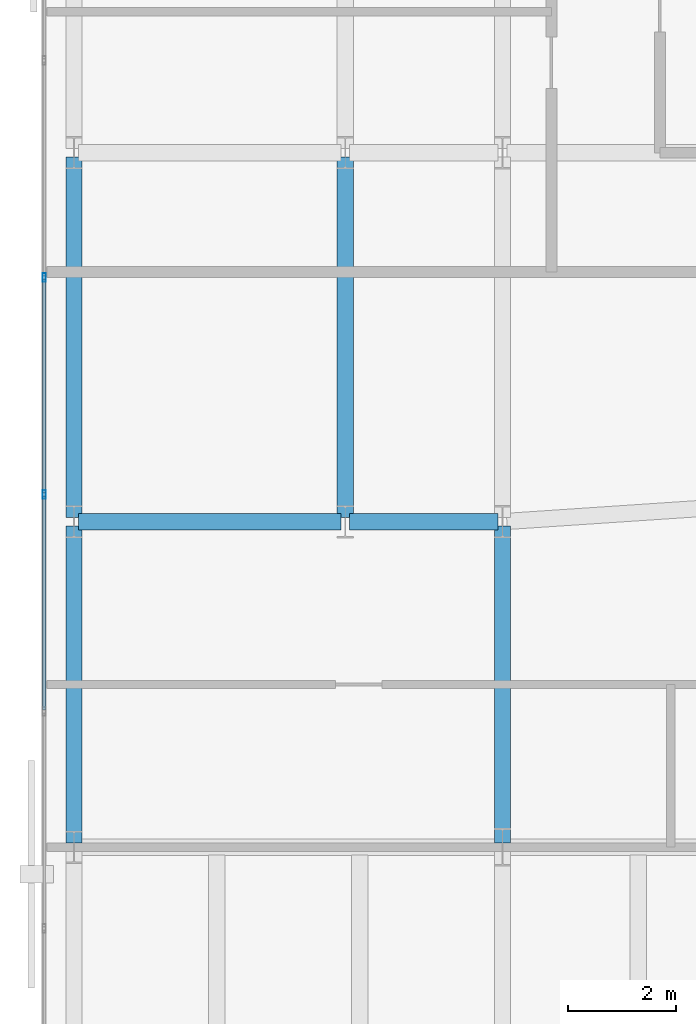
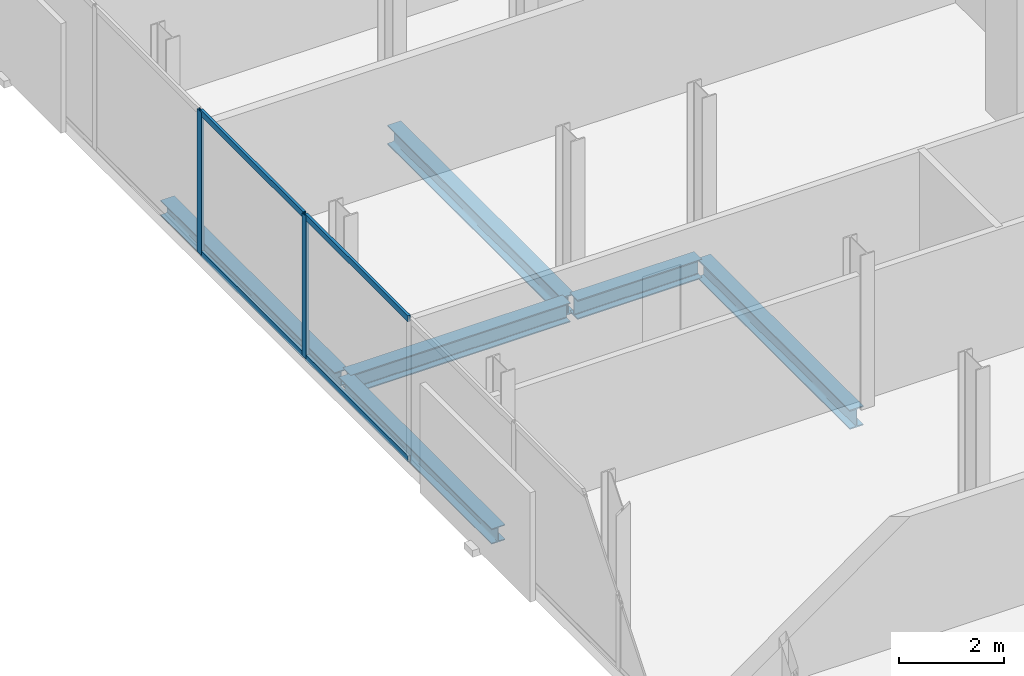
# One storey, part 9 of 32: 6 beams, 6 members, 1 element without a shape of its own.
"""IFC4 building model written with IfcOpenShell, lengths in metres."""

from ifc_helpers import new_model, si_unit, direction, frame, origin, origin_2d, place, context, subcontext, project, spatial, hollow_rectangle, i_section, extrude, material, layer, layer_set, material_profile, profile_set, type_object, element, aggregate, save


model = new_model("IFC4")

# Units and contexts
model_context = context("Model", 3, precision=1e-05, world=origin(), true_north=direction((0.0, 1.0)))
body_context = subcontext(model_context, "Body", "Model", "MODEL_VIEW")
ifc_project = project(units=[si_unit("LENGTHUNIT", "METRE"), si_unit("AREAUNIT", "SQUARE_METRE"), si_unit("VOLUMEUNIT", "CUBIC_METRE"), si_unit("PLANEANGLEUNIT", "RADIAN"), si_unit("MASSUNIT", "GRAM", prefix="KILO")], contexts=[model_context])

# Site, building, storey
site_placement = place(None, origin())
site = spatial("IfcSite", under=ifc_project, at=site_placement, CompositionType="ELEMENT")
building_placement = place(site_placement, origin())
building = spatial("IfcBuilding", under=site, at=building_placement, Name="Catumbela Crestline Tower", CompositionType="ELEMENT")
storey_placement = place(building_placement, frame((0.0, 0.0, 133.2)))
storey = spatial("IfcBuildingStorey", under=building, at=storey_placement, Name="L34", CompositionType="ELEMENT", Elevation=133.2)

# Beams
ifc_material_1 = material(Name="Structural steel S355J2", Category="steel")
ifc_material_profile_1 = material_profile(ifc_material_1, i_section(OverallWidth=0.3, OverallDepth=0.45, WebThickness=0.014, FlangeThickness=0.026, FilletRadius=0.027, at=origin_2d()), Name="HEB 450")
ifc_profile_set_1 = profile_set([ifc_material_profile_1], Name="Structural steel S355J2")
beam_type_1 = type_object("IfcBeamType", Name="BG-HEB450", PredefinedType="BEAM", material=ifc_profile_set_1)
beam_1_placement = place(storey_placement, frame((0.68, 24.0, -0.485), z_axis=(1.0, 0.0, 0.0), x_axis=(0.0, 1.0, 0.0)))
element("IfcBeam", 1, at=beam_1_placement, inside=storey, type_object=beam_type_1, Name="L34 Beam BM-L34-S01", PredefinedType="BEAM", context=body_context, shape_type="SweptSolid", body=[
    extrude(i_section(OverallWidth=0.3, OverallDepth=0.45, WebThickness=0.014, FlangeThickness=0.026, FilletRadius=0.027, at=origin_2d()), origin(), (0.0, 0.0, 1.0), 4.84),
])
beam_2_placement = place(storey_placement, frame((5.68, 24.0, -0.485), z_axis=(1.0, 0.0, 0.0), x_axis=(0.0, 1.0, 0.0)))
element("IfcBeam", 2, at=beam_2_placement, inside=storey, type_object=beam_type_1, Name="L34 Beam BM-L34-S02", PredefinedType="BEAM", context=body_context, shape_type="SweptSolid", body=[
    extrude(i_section(OverallWidth=0.3, OverallDepth=0.45, WebThickness=0.014, FlangeThickness=0.026, FilletRadius=0.027, at=origin_2d()), origin(), (0.0, 0.0, 1.0), 2.74),
])
beam_3_placement = place(storey_placement, frame((5.6, 24.08, -0.485), z_axis=(0.0, 1.0, 0.0), x_axis=(-1.0, 0.0, 0.0)))
element("IfcBeam", 3, at=beam_3_placement, inside=storey, type_object=beam_type_1, Name="L34 Beam BM-L34-SN24", PredefinedType="BEAM", context=body_context, shape_type="SweptSolid", body=[
    extrude(i_section(OverallWidth=0.3, OverallDepth=0.45, WebThickness=0.014, FlangeThickness=0.026, FilletRadius=0.027, at=origin_2d()), origin(), (0.0, 0.0, 1.0), 6.64),
])
beam_4_placement = place(storey_placement, frame((8.5, 18.08, -0.485), z_axis=(0.0, 1.0, 0.0), x_axis=(-1.0, 0.0, 0.0)))
element("IfcBeam", 4, at=beam_4_placement, inside=storey, type_object=beam_type_1, Name="L34 Beam BM-L34-WNS57", PredefinedType="BEAM", context=body_context, shape_type="SweptSolid", body=[
    extrude(i_section(OverallWidth=0.3, OverallDepth=0.45, WebThickness=0.014, FlangeThickness=0.026, FilletRadius=0.027, at=origin_2d()), origin(), (0.0, 0.0, 1.0), 5.84),
])

# Curtain wall, members
ifc_material_2 = material(Name="Aluminium alloy AW-6060-T66", Category="aluminium")
ifc_layer = layer(ifc_material_2, 0.18, Name="Aluminium alloy AW-6060-T66")
ifc_layer_set = layer_set([ifc_layer], Name="Aluminium alloy AW-6060-T66")
curtain_wall_type = type_object("IfcCurtainWallType", Name="CWU-Z2", PredefinedType="USERDEFINED", material=ifc_layer_set)
curtain_wall_placement = place(storey_placement, origin())
curtain_wall = element("IfcCurtainWall", 5, at=curtain_wall_placement, inside=storey, type_object=curtain_wall_type, Name="L34 Unitised Curtain Wall CW-L34-E9S1", ObjectType="UNITISED", PredefinedType="USERDEFINED")
ifc_material_profile_2 = material_profile(ifc_material_2, hollow_rectangle(XDim=0.06, YDim=0.16, WallThickness=0.004, at=origin_2d()), Name="ALU 160x60x4")
ifc_profile_set_2 = profile_set([ifc_material_profile_2], Name="Aluminium alloy AW-6060-T66")
member_type_1 = type_object("IfcMemberType", Name="MUL-160X60", PredefinedType="MULLION", material=ifc_profile_set_2)
member_1_placement = place(storey_placement, frame((0.05, 28.5, 0.0), z_axis=(0.0, 0.0, 1.0), x_axis=(1.0, 0.0, 0.0)))
member_1 = element("IfcMember", 6, at=member_1_placement, type_object=member_type_1, Name="CWU-Z2 mullion 5", PredefinedType="MULLION", context=body_context, shape_type="SweptSolid", body=[
    extrude(hollow_rectangle(XDim=0.06, YDim=0.16, WallThickness=0.004, at=origin_2d()), origin(), (0.0, 0.0, 1.0), 3.33),
])
member_2_placement = place(storey_placement, frame((0.05, 24.5, 0.0), z_axis=(0.0, 0.0, 1.0), x_axis=(1.0, 0.0, 0.0)))
member_2 = element("IfcMember", 7, at=member_2_placement, type_object=member_type_1, Name="CWU-Z2 mullion 6", PredefinedType="MULLION", context=body_context, shape_type="SweptSolid", body=[
    extrude(hollow_rectangle(XDim=0.06, YDim=0.16, WallThickness=0.004, at=origin_2d()), origin(), (0.0, 0.0, 1.0), 3.33),
])

# Beams
ifc_material_profile_3 = material_profile(ifc_material_1, i_section(OverallWidth=0.3, OverallDepth=0.36, WebThickness=0.0125, FlangeThickness=0.0225, FilletRadius=0.027, at=origin_2d()), Name="HEB 360")
ifc_profile_set_3 = profile_set([ifc_material_profile_3], Name="Structural steel S355J2")
beam_type_2 = type_object("IfcBeamType", Name="BS-HEB360", PredefinedType="SPANDREL", material=ifc_profile_set_3)
beam_5_placement = place(storey_placement, frame((0.6, 24.08, -0.44), z_axis=(0.0, 1.0, 0.0), x_axis=(-1.0, 0.0, 0.0)))
element("IfcBeam", 8, at=beam_5_placement, inside=storey, type_object=beam_type_2, Name="L34 Spandrel SP-L34-SN22", PredefinedType="SPANDREL", context=body_context, shape_type="SweptSolid", body=[
    extrude(i_section(OverallWidth=0.3, OverallDepth=0.36, WebThickness=0.0125, FlangeThickness=0.0225, FilletRadius=0.027, at=origin_2d()), origin(), (0.0, 0.0, 1.0), 6.64),
])
beam_6_placement = place(storey_placement, frame((0.6, 18.08, -0.44), z_axis=(0.0, 1.0, 0.0), x_axis=(-1.0, 0.0, 0.0)))
element("IfcBeam", 9, at=beam_6_placement, inside=storey, type_object=beam_type_2, Name="L34 Spandrel SP-L34-WNS54", PredefinedType="SPANDREL", context=body_context, shape_type="SweptSolid", body=[
    extrude(i_section(OverallWidth=0.3, OverallDepth=0.36, WebThickness=0.0125, FlangeThickness=0.0225, FilletRadius=0.027, at=origin_2d()), origin(), (0.0, 0.0, 1.0), 5.84),
])

# Member
ifc_material_profile_4 = material_profile(ifc_material_2, hollow_rectangle(XDim=0.06, YDim=0.14, WallThickness=0.004, at=origin_2d()), Name="ALU 140x60x4")
ifc_profile_set_4 = profile_set([ifc_material_profile_4], Name="Aluminium alloy AW-6060-T66")
member_type_2 = type_object("IfcMemberType", Name="TRN-140X60", PredefinedType="USERDEFINED", material=ifc_profile_set_4)
member_3_placement = place(storey_placement, frame((0.05, 28.4675, 0.03), z_axis=(0.0, -1.0, 0.0), x_axis=(1.0, 0.0, 0.0)))
member_3 = element("IfcMember", 10, at=member_3_placement, type_object=member_type_2, Name="CWU-Z2 transom 5.1", ObjectType="TRANSOM", PredefinedType="USERDEFINED", context=body_context, shape_type="SweptSolid", body=[
    extrude(hollow_rectangle(XDim=0.06, YDim=0.14, WallThickness=0.004, at=origin_2d()), origin(), (0.0, 0.0, 1.0), 3.935),
])

member_4_placement = place(storey_placement, frame((0.05, 28.4675, 3.3), z_axis=(0.0, -1.0, 0.0), x_axis=(1.0, 0.0, 0.0)))
member_4 = element("IfcMember", 11, at=member_4_placement, type_object=member_type_2, Name="CWU-Z2 transom 5.2", ObjectType="TRANSOM", PredefinedType="USERDEFINED", context=body_context, shape_type="SweptSolid", body=[
    extrude(hollow_rectangle(XDim=0.06, YDim=0.14, WallThickness=0.004, at=origin_2d()), origin(), (0.0, 0.0, 1.0), 3.935),
])

member_5_placement = place(storey_placement, frame((0.05, 24.4675, 0.03), z_axis=(0.0, -1.0, 0.0), x_axis=(1.0, 0.0, 0.0)))
member_5 = element("IfcMember", 12, at=member_5_placement, type_object=member_type_2, Name="CWU-Z2 transom 6.1", ObjectType="TRANSOM", PredefinedType="USERDEFINED", context=body_context, shape_type="SweptSolid", body=[
    extrude(hollow_rectangle(XDim=0.06, YDim=0.14, WallThickness=0.004, at=origin_2d()), origin(), (0.0, 0.0, 1.0), 3.935),
])

member_6_placement = place(storey_placement, frame((0.05, 24.4675, 3.3), z_axis=(0.0, -1.0, 0.0), x_axis=(1.0, 0.0, 0.0)))
member_6 = element("IfcMember", 13, at=member_6_placement, type_object=member_type_2, Name="CWU-Z2 transom 6.2", ObjectType="TRANSOM", PredefinedType="USERDEFINED", context=body_context, shape_type="SweptSolid", body=[
    extrude(hollow_rectangle(XDim=0.06, YDim=0.14, WallThickness=0.004, at=origin_2d()), origin(), (0.0, 0.0, 1.0), 3.935),
])

aggregate(curtain_wall, [member_1, member_2, member_3, member_4, member_5, member_6])

save(model, "model.ifc")
